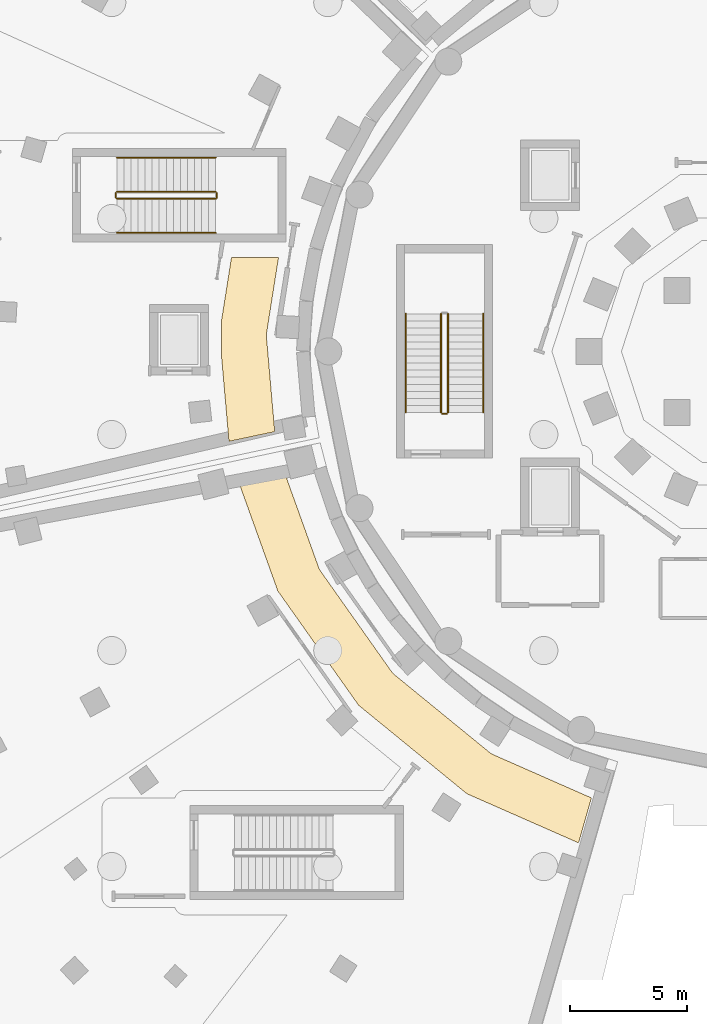
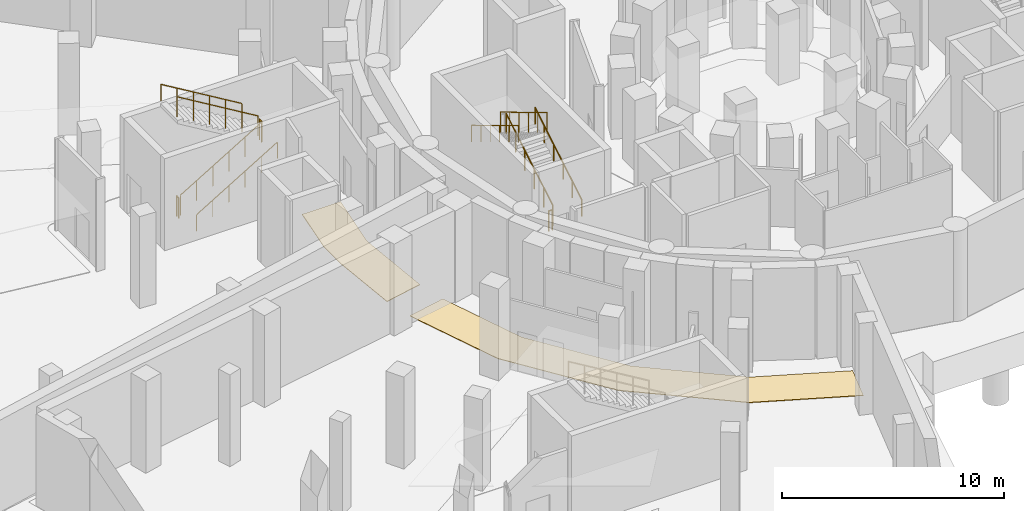
# One storey, part 21 of 33: 11 railings, 2 coverings.
"""IFC4 building model written with IfcOpenShell, lengths in metres."""

import ifcopenshell
import ifcopenshell.guid

model = None  # the IFC model being written
_history = None  # IfcOwnerHistory: only IFC2X3 demands one
_inside = {}  # id of a spatial element -> (the spatial element, [elements in it])
_under = {}  # id of a project, library or spatial element -> (it, [spatial elements below it])
_declared = {}  # id of a project -> (the project, [libraries it declares])
_typed = {}  # id of a type object -> (the type object, [elements of that type])
_made_of = {}  # id of a material, layer set ... -> (it, [elements and type objects made of it])


def new_model(schema):
    """Start an empty IFC model of exactly this schema.

    Asked for "IFC4X3", IfcOpenShell would pick the latest addendum, in which some entities
    have other attributes; the version numbers below select the first issue.
    IFC2X3 requires an IfcOwnerHistory on every rooted entity: one is made here for all.
    """
    global model, _history
    if schema == "IFC4X3":
        model = ifcopenshell.file(schema_version=(4, 3, 0, 0))
    else:
        model = ifcopenshell.file(schema=schema)
    _inside.clear()
    _under.clear()
    _declared.clear()
    _typed.clear()
    _made_of.clear()
    _history = None
    if model.schema == "IFC2X3":
        org = make("IfcOrganization", Name="unknown")
        user = make(
            "IfcPersonAndOrganization",
            ThePerson=make("IfcPerson", FamilyName="unknown"),
            TheOrganization=org,
        )
        app = make(
            "IfcApplication",
            ApplicationDeveloper=org,
            Version="unknown",
            ApplicationFullName="unknown",
            ApplicationIdentifier="unknown",
        )
        _history = make(
            "IfcOwnerHistory",
            OwningUser=user,
            OwningApplication=app,
            ChangeAction="ADDED",
            CreationDate=0,
        )
    return model


def make(cls, **values):
    """One entity of the class cls with the attributes given. An attribute that is None is left unset."""
    return model.create_entity(
        cls, **{name: value for name, value in values.items() if value is not None}
    )


def rooted(cls, **values):
    """An entity with a GlobalId (a new one), such as an element, a storey or a relation."""
    return make(cls, GlobalId=ifcopenshell.guid.new(), OwnerHistory=_history, **values)


def si_unit(unit_type, name, prefix=None):
    """IfcSIUnit, for example si_unit("LENGTHUNIT", "METRE", prefix="MILLI")."""
    return make("IfcSIUnit", UnitType=unit_type, Prefix=prefix, Name=name)


def assignment(units):
    """IfcUnitAssignment: the units of a project."""
    return None if units is None else make("IfcUnitAssignment", Units=units)


def point(xyz):
    """IfcCartesianPoint."""
    return None if xyz is None else make("IfcCartesianPoint", Coordinates=xyz)


def direction(xyz):
    """IfcDirection."""
    return None if xyz is None else make("IfcDirection", DirectionRatios=xyz)


def frame(location, z_axis=None, x_axis=None):
    """IfcAxis2Placement3D, a coordinate frame: its origin and axes. An axis left out is left unset."""
    return make(
        "IfcAxis2Placement3D",
        Location=point(location),
        Axis=direction(z_axis),
        RefDirection=direction(x_axis),
    )


def frame_2d(location, x_axis=None):
    """IfcAxis2Placement2D, a coordinate frame in the plane: its origin and x axis."""
    return make(
        "IfcAxis2Placement2D", Location=point(location), RefDirection=direction(x_axis)
    )


def origin():
    """The frame at (0, 0, 0) with its axes left unset."""
    return frame((0.0, 0.0, 0.0))


def origin_2d():
    """The frame at (0, 0) in the plane with its x axis left unset."""
    return frame_2d((0.0, 0.0))


def place(relative_to, where):
    """IfcLocalPlacement: puts the frame where relative to a parent placement (None: the world)."""
    return make(
        "IfcLocalPlacement", PlacementRelTo=relative_to, RelativePlacement=where
    )


def context(
    kind, dimensions, precision=None, world=None, true_north=None, identifier=None
):
    """IfcGeometricRepresentationContext, for example the 3D "Model" context."""
    return make(
        "IfcGeometricRepresentationContext",
        ContextIdentifier=identifier,
        ContextType=kind,
        CoordinateSpaceDimension=dimensions,
        Precision=precision,
        WorldCoordinateSystem=world,
        TrueNorth=true_north,
    )


def subcontext(parent, identifier, kind, view, scale=None):
    """IfcGeometricRepresentationSubContext, for example "Body" below "Model"."""
    return make(
        "IfcGeometricRepresentationSubContext",
        ContextIdentifier=identifier,
        ContextType=kind,
        ParentContext=parent,
        TargetScale=scale,
        TargetView=view,
    )


def project(units=None, contexts=None):
    """IfcProject with its units and contexts."""
    return rooted(
        "IfcProject",
        Name="project",
        RepresentationContexts=contexts,
        UnitsInContext=assignment(units),
    )


def spatial(cls, under=None, at=None, **own):
    """A site, building, storey or space (cls), placed at a placement, below another one or the project."""
    s = rooted(cls, ObjectPlacement=at, **own)
    if under is not None:
        _under.setdefault(under.id(), (under, []))[1].append(s)
    return s


def polyline(points):
    """IfcPolyline through the points."""
    return make("IfcPolyline", Points=[point(p) for p in points])


def profile(cls, at=None, kind="AREA", **sizes):
    """A parametric profile (cls). Its sizes go by their IFC names, for example OverallWidth=200.0."""
    return make(cls, ProfileType=kind, Position=at, **sizes)


def circle(**sizes):
    """IfcCircleProfileDef."""
    return profile("IfcCircleProfileDef", **sizes)


def outline(outer, holes=None, kind="AREA"):
    """IfcArbitraryClosedProfileDef: a profile drawn as a closed curve; with holes, ...WithVoids."""
    if holes is None:
        return make("IfcArbitraryClosedProfileDef", ProfileType=kind, OuterCurve=outer)
    return make(
        "IfcArbitraryProfileDefWithVoids",
        ProfileType=kind,
        OuterCurve=outer,
        InnerCurves=holes,
    )


def extrude(swept, where, along, depth):
    """IfcExtrudedAreaSolid: the profile swept, set in the frame where, extruded along a direction by depth."""
    return make(
        "IfcExtrudedAreaSolid",
        SweptArea=swept,
        Position=where,
        ExtrudedDirection=direction(along),
        Depth=depth,
    )


def shape(context_of_items, identifier, shape_type, items):
    """IfcShapeRepresentation: the items that make up one representation, for example the "Body"."""
    return make(
        "IfcShapeRepresentation",
        ContextOfItems=context_of_items,
        RepresentationIdentifier=identifier,
        RepresentationType=shape_type,
        Items=items,
    )


def material(Name=None, Category=None):
    """IfcMaterial."""
    return make("IfcMaterial", Name=Name, Category=Category)


def layer(
    of_material, thickness, ventilated=None, Name=None, Category=None, Priority=None
):
    """IfcMaterialLayer: one layer of a wall or slab, of a material (None: an air gap)."""
    return make(
        "IfcMaterialLayer",
        Material=of_material,
        LayerThickness=thickness,
        IsVentilated=ventilated,
        Name=Name,
        Category=Category,
        Priority=Priority,
    )


def layer_set(layers, Name=None):
    """IfcMaterialLayerSet."""
    return make("IfcMaterialLayerSet", MaterialLayers=layers, LayerSetName=Name)


def made_of(thing, what):
    """Note that an element or type object is made of a material, layer set ...; save() writes the relation."""
    if what is not None:
        _made_of.setdefault(what.id(), (what, []))[1].append(thing)
    return thing


def type_object(cls, material=None, **own):
    """A type object (cls), such as IfcWallType, which elements share."""
    return made_of(rooted(cls, **own), material)


def element(
    cls,
    number,
    at=None,
    inside=None,
    cuts=None,
    type_object=None,
    material=None,
    context=None,
    identifier="Body",
    shape_type=None,
    held_by="IfcProductDefinitionShape",
    body=None,
    shapes=None,
    **own,
):
    """One element of the class cls, such as IfcWall. Its Tag is "e" and its number.

    at: its placement. inside: the storey or other place that contains it. cuts: it is an
    opening in that element (IfcRelVoidsElement). A single representation is given by context,
    identifier, shape_type and body (its items); several are given by shapes. held_by: the class
    of the entity that holds the representations. save() writes the other relations.
    """
    e = rooted(cls, Tag="e%d" % number, ObjectPlacement=at, **own)
    if body is not None:
        shapes = [shape(context, identifier, shape_type, body)]
    if shapes is not None:
        e.Representation = make(held_by, Representations=shapes)
    if inside is not None:
        _inside.setdefault(inside.id(), (inside, []))[1].append(e)
    if cuts is not None:
        rooted(
            "IfcRelVoidsElement", RelatingBuildingElement=cuts, RelatedOpeningElement=e
        )
    if type_object is not None:
        _typed.setdefault(type_object.id(), (type_object, []))[1].append(e)
    return made_of(e, material)


def aggregate(whole, parts):
    """IfcRelAggregates: a whole, such as a stair, and the parts it consists of."""
    return rooted("IfcRelAggregates", RelatingObject=whole, RelatedObjects=parts)


def save(model, path):
    """Write the relations noted so far, then the file.

    IfcRelAggregates (storeys below a building ...), IfcRelContainedInSpatialStructure (elements
    in a storey), IfcRelDefinesByType, IfcRelAssociatesMaterial and IfcRelDeclares: one each for
    every whole, place, type object, material and project.
    """
    for whole, parts in _under.values():
        aggregate(whole, parts)
    for where, things in _inside.values():
        rooted(
            "IfcRelContainedInSpatialStructure",
            RelatedElements=things,
            RelatingStructure=where,
        )
    for kind, things in _typed.values():
        rooted("IfcRelDefinesByType", RelatedObjects=things, RelatingType=kind)
    for what, things in _made_of.values():
        rooted("IfcRelAssociatesMaterial", RelatedObjects=things, RelatingMaterial=what)
    for by, libraries in _declared.values():
        rooted("IfcRelDeclares", RelatingContext=by, RelatedDefinitions=libraries)
    model.write(path)


model = new_model("IFC4")

# Units and contexts
model_context = context("Model", 3, precision=1e-05, world=origin(), true_north=direction((0.0, 1.0)))
body_context = subcontext(model_context, "Body", "Model", "MODEL_VIEW")
ifc_project = project(units=[si_unit("LENGTHUNIT", "METRE"), si_unit("AREAUNIT", "SQUARE_METRE"), si_unit("VOLUMEUNIT", "CUBIC_METRE"), si_unit("PLANEANGLEUNIT", "RADIAN"), si_unit("MASSUNIT", "GRAM", prefix="KILO")], contexts=[model_context])

# Site, building, storey
site_placement = place(None, origin())
site = spatial("IfcSite", under=ifc_project, at=site_placement, CompositionType="ELEMENT")
building_placement = place(site_placement, origin())
building = spatial("IfcBuilding", under=site, at=building_placement, Name="Soyqirgoq Riverine Aquarium", CompositionType="ELEMENT")
storey_placement = place(building_placement, frame((0.0, 0.0, -5.39990234375)))
storey = spatial("IfcBuildingStorey", under=building, at=storey_placement, Name="B01", CompositionType="ELEMENT", Elevation=-5.39990234375)

# Railings
ifc_material_1 = material(Name="Brushed stainless steel 316L tubular handrail", Category="steel")
railing_type_1 = type_object("IfcRailingType", Name="StairPitchHandrail_920", PredefinedType="HANDRAIL", material=ifc_material_1)
railing_1_placement = place(storey_placement, frame((45.14990234375, 54.39990234375, 0.179931640625)))
element("IfcRailing", 1, at=railing_1_placement, inside=storey, type_object=railing_type_1, Name="B01 ST-9 stair handrail 1", PredefinedType="HANDRAIL", context=body_context, shape_type="SweptSolid", body=[
    extrude(circle(Radius=0.02392578125, at=origin_2d()), frame((0.0, 0.0, 0.89990234375), z_axis=(0.0, 0.857501721439, 0.514481095599), x_axis=(-1.0, 0.0, 0.0)), (0.0, 0.0, 1.0), 4.898193359375),
    extrude(circle(Radius=0.02099609375, at=origin_2d()), origin(), (0.0, 0.0, 1.0), 0.875732421875),
    extrude(circle(Radius=0.02099609375, at=origin_2d()), frame((0.0, 0.840087890625, 0.50390625)), (0.0, 0.0, 1.0), 0.875732421875),
    extrude(circle(Radius=0.02099609375, at=origin_2d()), frame((0.0, 1.68017578125, 1.008056640625)), (0.0, 0.0, 1.0), 0.875732421875),
    extrude(circle(Radius=0.02099609375, at=origin_2d()), frame((0.0, 2.52001953125, 1.511962890625)), (0.0, 0.0, 1.0), 0.875732421875),
    extrude(circle(Radius=0.02099609375, at=origin_2d()), frame((0.0, 3.360107421875, 2.01611328125)), (0.0, 0.0, 1.0), 0.875732421875),
    extrude(circle(Radius=0.02099609375, at=origin_2d()), frame((0.0, 4.2001953125, 2.52001953125)), (0.0, 0.0, 1.0), 0.875732421875),
])
railing_2_placement = place(storey_placement, frame((41.85009765625, 58.60009765625, 2.8798828125)))
element("IfcRailing", 2, at=railing_2_placement, inside=storey, type_object=railing_type_1, Name="B01 ST-9 stair handrail 2", PredefinedType="HANDRAIL", context=body_context, shape_type="SweptSolid", body=[
    extrude(circle(Radius=0.02392578125, at=origin_2d()), frame((0.0, 0.0, 0.89990234375), z_axis=(0.0, -0.857501721439, 0.514481095599), x_axis=(1.0, 0.0, 0.0)), (0.0, 0.0, 1.0), 4.898193359375),
    extrude(circle(Radius=0.02099609375, at=origin_2d()), origin(), (0.0, 0.0, 1.0), 0.875732421875),
    extrude(circle(Radius=0.02099609375, at=origin_2d()), frame((0.0, -0.840087890625, 0.50390625)), (0.0, 0.0, 1.0), 0.875732421875),
    extrude(circle(Radius=0.02099609375, at=origin_2d()), frame((0.0, -1.68017578125, 1.008056640625)), (0.0, 0.0, 1.0), 0.875732421875),
    extrude(circle(Radius=0.02099609375, at=origin_2d()), frame((0.0, -2.52001953125, 1.511962890625)), (0.0, 0.0, 1.0), 0.875732421875),
    extrude(circle(Radius=0.02099609375, at=origin_2d()), frame((0.0, -3.360107421875, 2.01611328125)), (0.0, 0.0, 1.0), 0.875732421875),
    extrude(circle(Radius=0.02099609375, at=origin_2d()), frame((0.0, -4.2001953125, 2.52001953125)), (0.0, 0.0, 1.0), 0.875732421875),
])
railing_3_placement = place(storey_placement, frame((29.550048828125, 62.050048828125, 0.179931640625)))
element("IfcRailing", 3, at=railing_3_placement, inside=storey, type_object=railing_type_1, Name="B01 ST-3 stair handrail 1", PredefinedType="HANDRAIL", context=body_context, shape_type="SweptSolid", body=[
    extrude(circle(Radius=0.02392578125, at=origin_2d()), frame((0.0, 0.0, 0.89990234375), z_axis=(0.857488527567, 0.0, 0.514503085598), x_axis=(0.0, 1.0, 0.0)), (0.0, 0.0, 1.0), 4.89794921875),
    extrude(circle(Radius=0.02099609375, at=origin_2d()), origin(), (0.0, 0.0, 1.0), 0.875732421875),
    extrude(circle(Radius=0.02099609375, at=origin_2d()), frame((0.840087890625, 0.0, 0.50390625)), (0.0, 0.0, 1.0), 0.875732421875),
    extrude(circle(Radius=0.02099609375, at=origin_2d()), frame((1.679931640625, 0.0, 1.008056640625)), (0.0, 0.0, 1.0), 0.875732421875),
    extrude(circle(Radius=0.02099609375, at=origin_2d()), frame((2.52001953125, 0.0, 1.511962890625)), (0.0, 0.0, 1.0), 0.875732421875),
    extrude(circle(Radius=0.02099609375, at=origin_2d()), frame((3.35986328125, 0.0, 2.01611328125)), (0.0, 0.0, 1.0), 0.875732421875),
    extrude(circle(Radius=0.02099609375, at=origin_2d()), frame((4.199951171875, 0.0, 2.52001953125)), (0.0, 0.0, 1.0), 0.875732421875),
])
railing_4_placement = place(storey_placement, frame((33.75, 65.25, 2.8798828125)))
element("IfcRailing", 4, at=railing_4_placement, inside=storey, type_object=railing_type_1, Name="B01 ST-3 stair handrail 2", PredefinedType="HANDRAIL", context=body_context, shape_type="SweptSolid", body=[
    extrude(circle(Radius=0.02392578125, at=origin_2d()), frame((0.0, 0.0, 0.89990234375), z_axis=(-0.857488527567, 0.0, 0.514503085598), x_axis=(0.0, -1.0, 0.0)), (0.0, 0.0, 1.0), 4.89794921875),
    extrude(circle(Radius=0.02099609375, at=origin_2d()), origin(), (0.0, 0.0, 1.0), 0.875732421875),
    extrude(circle(Radius=0.02099609375, at=origin_2d()), frame((-0.840087890625, 0.0, 0.50390625)), (0.0, 0.0, 1.0), 0.875732421875),
    extrude(circle(Radius=0.02099609375, at=origin_2d()), frame((-1.679931640625, 0.0, 1.008056640625)), (0.0, 0.0, 1.0), 0.875732421875),
    extrude(circle(Radius=0.02099609375, at=origin_2d()), frame((-2.52001953125, 0.0, 1.511962890625)), (0.0, 0.0, 1.0), 0.875732421875),
    extrude(circle(Radius=0.02099609375, at=origin_2d()), frame((-3.35986328125, 0.0, 2.01611328125)), (0.0, 0.0, 1.0), 0.875732421875),
    extrude(circle(Radius=0.02099609375, at=origin_2d()), frame((-4.199951171875, 0.0, 2.52001953125)), (0.0, 0.0, 1.0), 0.875732421875),
])
ifc_material_2 = material(Name="Painted steel infill stair-well guardrail", Category="steel")
railing_type_2 = type_object("IfcRailingType", Name="StairWellGuard_1120", PredefinedType="GUARDRAIL", material=ifc_material_2)
railing_5_placement = place(storey_placement, frame((43.64990234375, 54.39990234375, 0.179931640625)))
element("IfcRailing", 5, at=railing_5_placement, inside=storey, type_object=railing_type_2, Name="B01 ST-9 stair guard 1", PredefinedType="GUARDRAIL", context=body_context, shape_type="SweptSolid", body=[
    extrude(circle(Radius=0.02392578125, at=origin_2d()), frame((0.0, 0.0, 1.09619140625), z_axis=(0.0, 0.857501721439, 0.514481095599), x_axis=(-1.0, 0.0, 0.0)), (0.0, 0.0, 1.0), 4.898193359375),
    extrude(circle(Radius=0.02099609375, at=origin_2d()), origin(), (0.0, 0.0, 1.0), 1.072021484375),
    extrude(circle(Radius=0.02099609375, at=origin_2d()), frame((0.0, 0.840087890625, 0.50390625)), (0.0, 0.0, 1.0), 1.072021484375),
    extrude(circle(Radius=0.02099609375, at=origin_2d()), frame((0.0, 1.68017578125, 1.008056640625)), (0.0, 0.0, 1.0), 1.072021484375),
    extrude(circle(Radius=0.02099609375, at=origin_2d()), frame((0.0, 2.52001953125, 1.511962890625)), (0.0, 0.0, 1.0), 1.072021484375),
    extrude(circle(Radius=0.02099609375, at=origin_2d()), frame((0.0, 3.360107421875, 2.01611328125)), (0.0, 0.0, 1.0), 1.072021484375),
    extrude(circle(Radius=0.02099609375, at=origin_2d()), frame((0.0, 4.2001953125, 2.52001953125)), (0.0, 0.0, 1.0), 1.072021484375),
])
railing_6_placement = place(storey_placement, frame((43.35009765625, 58.60009765625, 2.8798828125)))
element("IfcRailing", 6, at=railing_6_placement, inside=storey, type_object=railing_type_2, Name="B01 ST-9 stair guard 3", PredefinedType="GUARDRAIL", context=body_context, shape_type="SweptSolid", body=[
    extrude(circle(Radius=0.02392578125, at=origin_2d()), frame((0.0, 0.0, 1.09619140625), z_axis=(0.0, -0.857501721439, 0.514481095599), x_axis=(1.0, 0.0, 0.0)), (0.0, 0.0, 1.0), 4.898193359375),
    extrude(circle(Radius=0.02099609375, at=origin_2d()), origin(), (0.0, 0.0, 1.0), 1.072021484375),
    extrude(circle(Radius=0.02099609375, at=origin_2d()), frame((0.0, -0.840087890625, 0.50390625)), (0.0, 0.0, 1.0), 1.072021484375),
    extrude(circle(Radius=0.02099609375, at=origin_2d()), frame((0.0, -1.68017578125, 1.008056640625)), (0.0, 0.0, 1.0), 1.072021484375),
    extrude(circle(Radius=0.02099609375, at=origin_2d()), frame((0.0, -2.52001953125, 1.511962890625)), (0.0, 0.0, 1.0), 1.072021484375),
    extrude(circle(Radius=0.02099609375, at=origin_2d()), frame((0.0, -3.360107421875, 2.01611328125)), (0.0, 0.0, 1.0), 1.072021484375),
    extrude(circle(Radius=0.02099609375, at=origin_2d()), frame((0.0, -4.2001953125, 2.52001953125)), (0.0, 0.0, 1.0), 1.072021484375),
])
railing_7_placement = place(storey_placement, frame((43.60009765625, 54.35009765625, 0.0)))
element("IfcRailing", 7, at=railing_7_placement, inside=storey, type_object=railing_type_2, Name="B01 ST-9 stair guard 4", PredefinedType="GUARDRAIL", context=body_context, shape_type="SweptSolid", body=[
    extrude(circle(Radius=0.02392578125, at=origin_2d()), frame((0.0, 0.0, 1.09619140625), z_axis=(-1.0, 0.0, 0.0), x_axis=(0.0, -1.0, 0.0)), (0.0, 0.0, 1.0), 0.2001953125),
    extrude(circle(Radius=0.02099609375, at=origin_2d()), origin(), (0.0, 0.0, 1.0), 1.072021484375),
    extrude(circle(Radius=0.02099609375, at=origin_2d()), frame((-0.2001953125, 0.0, 0.0)), (0.0, 0.0, 1.0), 1.072021484375),
])
railing_8_placement = place(storey_placement, frame((29.550048828125, 63.5, 0.179931640625)))
element("IfcRailing", 8, at=railing_8_placement, inside=storey, type_object=railing_type_2, Name="B01 ST-3 stair guard 1", PredefinedType="GUARDRAIL", context=body_context, shape_type="SweptSolid", body=[
    extrude(circle(Radius=0.02392578125, at=origin_2d()), frame((0.0, 0.0, 1.09619140625), z_axis=(0.857488527567, 0.0, 0.514503085598), x_axis=(0.0, 1.0, 0.0)), (0.0, 0.0, 1.0), 4.89794921875),
    extrude(circle(Radius=0.02099609375, at=origin_2d()), origin(), (0.0, 0.0, 1.0), 1.072021484375),
    extrude(circle(Radius=0.02099609375, at=origin_2d()), frame((0.840087890625, 0.0, 0.50390625)), (0.0, 0.0, 1.0), 1.072021484375),
    extrude(circle(Radius=0.02099609375, at=origin_2d()), frame((1.679931640625, 0.0, 1.008056640625)), (0.0, 0.0, 1.0), 1.072021484375),
    extrude(circle(Radius=0.02099609375, at=origin_2d()), frame((2.52001953125, 0.0, 1.511962890625)), (0.0, 0.0, 1.0), 1.072021484375),
    extrude(circle(Radius=0.02099609375, at=origin_2d()), frame((3.35986328125, 0.0, 2.01611328125)), (0.0, 0.0, 1.0), 1.072021484375),
    extrude(circle(Radius=0.02099609375, at=origin_2d()), frame((4.199951171875, 0.0, 2.52001953125)), (0.0, 0.0, 1.0), 1.072021484375),
])
railing_9_placement = place(storey_placement, frame((33.800048828125, 63.550048828125, 2.699951171875)))
element("IfcRailing", 9, at=railing_9_placement, inside=storey, type_object=railing_type_2, Name="B01 ST-3 stair guard 2", PredefinedType="GUARDRAIL", context=body_context, shape_type="SweptSolid", body=[
    extrude(circle(Radius=0.02392578125, at=origin_2d()), frame((0.0, 0.0, 1.09619140625), z_axis=(0.0, 1.0, 0.0), x_axis=(-1.0, 0.0, 0.0)), (0.0, 0.0, 1.0), 0.199951171875),
    extrude(circle(Radius=0.02099609375, at=origin_2d()), origin(), (0.0, 0.0, 1.0), 1.072021484375),
    extrude(circle(Radius=0.02099609375, at=origin_2d()), frame((0.0, 0.199951171875, 0.0)), (0.0, 0.0, 1.0), 1.072021484375),
])
railing_10_placement = place(storey_placement, frame((33.75, 63.800048828125, 2.8798828125)))
element("IfcRailing", 10, at=railing_10_placement, inside=storey, type_object=railing_type_2, Name="B01 ST-3 stair guard 3", PredefinedType="GUARDRAIL", context=body_context, shape_type="SweptSolid", body=[
    extrude(circle(Radius=0.02392578125, at=origin_2d()), frame((0.0, 0.0, 1.09619140625), z_axis=(-0.857488527567, 0.0, 0.514503085598), x_axis=(0.0, -1.0, 0.0)), (0.0, 0.0, 1.0), 4.89794921875),
    extrude(circle(Radius=0.02099609375, at=origin_2d()), origin(), (0.0, 0.0, 1.0), 1.072021484375),
    extrude(circle(Radius=0.02099609375, at=origin_2d()), frame((-0.840087890625, 0.0, 0.50390625)), (0.0, 0.0, 1.0), 1.072021484375),
    extrude(circle(Radius=0.02099609375, at=origin_2d()), frame((-1.679931640625, 0.0, 1.008056640625)), (0.0, 0.0, 1.0), 1.072021484375),
    extrude(circle(Radius=0.02099609375, at=origin_2d()), frame((-2.52001953125, 0.0, 1.511962890625)), (0.0, 0.0, 1.0), 1.072021484375),
    extrude(circle(Radius=0.02099609375, at=origin_2d()), frame((-3.35986328125, 0.0, 2.01611328125)), (0.0, 0.0, 1.0), 1.072021484375),
    extrude(circle(Radius=0.02099609375, at=origin_2d()), frame((-4.199951171875, 0.0, 2.52001953125)), (0.0, 0.0, 1.0), 1.072021484375),
])
railing_11_placement = place(storey_placement, frame((29.5, 63.550048828125, 0.0)))
element("IfcRailing", 11, at=railing_11_placement, inside=storey, type_object=railing_type_2, Name="B01 ST-3 stair guard 4", PredefinedType="GUARDRAIL", context=body_context, shape_type="SweptSolid", body=[
    extrude(circle(Radius=0.02392578125, at=origin_2d()), frame((0.0, 0.0, 1.09619140625), z_axis=(0.0, 1.0, 0.0), x_axis=(-1.0, 0.0, 0.0)), (0.0, 0.0, 1.0), 0.199951171875),
    extrude(circle(Radius=0.02099609375, at=origin_2d()), origin(), (0.0, 0.0, 1.0), 1.072021484375),
    extrude(circle(Radius=0.02099609375, at=origin_2d()), frame((0.0, 0.199951171875, 0.0)), (0.0, 0.0, 1.0), 1.072021484375),
])

# Coverings
ifc_material_3 = material(Name="Polished Chirchiq river-pebble terrazzo flooring", Category="concrete")
ifc_layer = layer(ifc_material_3, 0.030029296875)
ifc_layer_set = layer_set([ifc_layer], Name="Polished Chirchiq river-pebble terrazzo flooring")
covering_type = type_object("IfcCoveringType", Name="TerrazzoFloorFinish_30", PredefinedType="FLOORING", material=ifc_layer_set)
covering_1_placement = place(storey_placement, origin())
element("IfcCovering", 12, at=covering_1_placement, inside=storey, type_object=covering_type, Name="V2 Gallery Circulation Corridor Floor Finish", PredefinedType="FLOORING", context=body_context, shape_type="SweptSolid", body=[
    extrude(outline(polyline([(49.20703125, 36.069091796875), (44.455078125, 38.159912109375), (39.840087890625, 41.930908203125), (36.40087890625, 46.797119140625), (34.64599609375, 51.68408203125), (36.593994140625, 52.097900390625), (38.14697265625, 47.77490234375), (38.162109375, 47.737060546875), (38.180908203125, 47.700927734375), (38.202880859375, 47.6669921875), (41.260986328125, 43.339111328125), (41.285888671875, 43.306884765625), (41.31396484375, 43.277099609375), (41.343994140625, 43.25), (45.447998046875, 39.89697265625), (45.48095703125, 39.873046875), (45.514892578125, 39.85205078125), (45.552001953125, 39.833984375), (49.756103515625, 37.98388671875), (49.20703125, 36.069091796875)])), origin(), (0.0, 0.0, 1.0), 0.02978515625),
])
covering_2_placement = place(storey_placement, origin())
element("IfcCovering", 13, at=covering_2_placement, inside=storey, type_object=covering_type, Name="V3 Gallery Circulation Corridor Floor Finish", PredefinedType="FLOORING", context=body_context, shape_type="SweptSolid", body=[
    extrude(outline(polyline([(34.320068359375, 53.1689453125), (34.0, 56.820068359375), (34.0, 58.2958984375), (34.427978515625, 61.0), (36.430908203125, 61.0), (35.91796875, 57.756103515625), (35.912109375, 57.701904296875), (35.9140625, 57.64697265625), (36.26904296875, 53.5830078125), (34.320068359375, 53.1689453125)])), origin(), (0.0, 0.0, 1.0), 0.02978515625),
])

save(model, "model.ifc")
